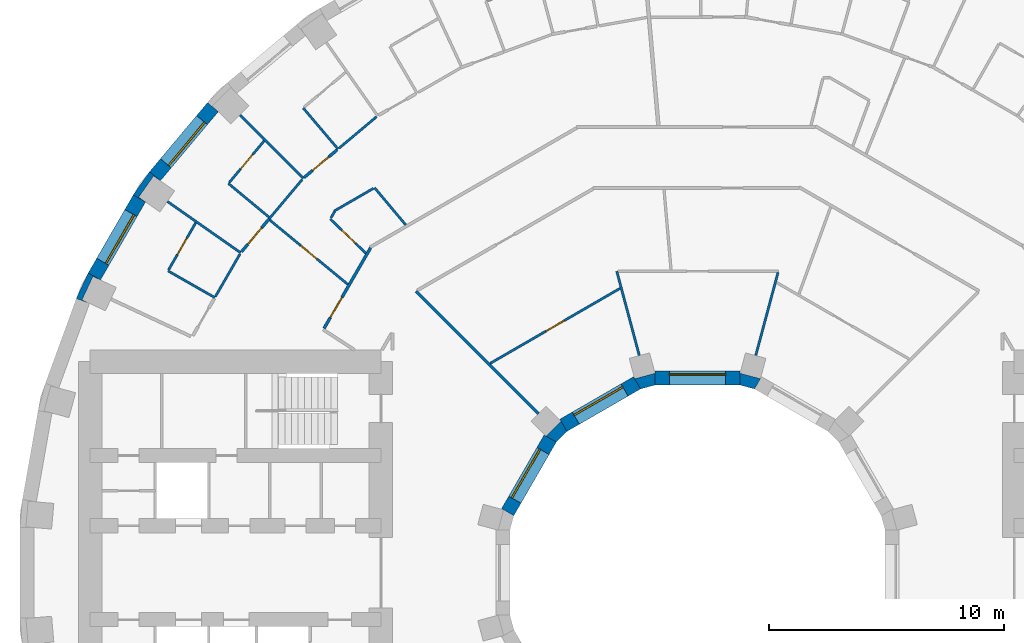
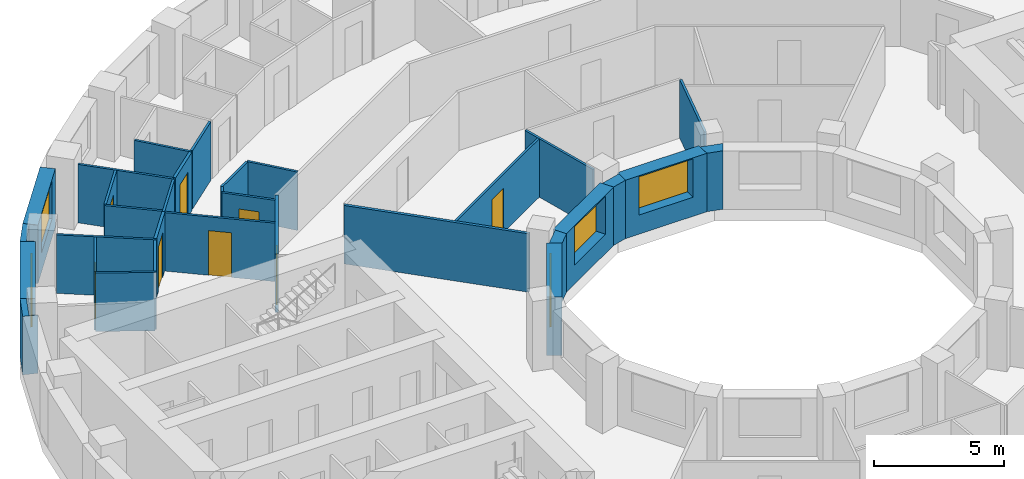
# One storey, part 10 of 15: 32 walls, 8 doors, 5 windows, 13 openings.
"""IFC4 building model written with IfcOpenShell, lengths in metres."""

from ifc_helpers import new_model, si_unit, direction, frame, frame_2d, origin, place, context, subcontext, project, spatial, polyline, rectangle, outline, extrude, material, layer, layer_set, type_object, element, fill, save


model = new_model("IFC4")

# Units and contexts
model_context = context("Model", 3, precision=1e-05, world=origin(), true_north=direction((0.0, 1.0)))
body_context = subcontext(model_context, "Body", "Model", "MODEL_VIEW")
ifc_project = project(units=[si_unit("LENGTHUNIT", "METRE"), si_unit("AREAUNIT", "SQUARE_METRE"), si_unit("VOLUMEUNIT", "CUBIC_METRE"), si_unit("PLANEANGLEUNIT", "RADIAN"), si_unit("MASSUNIT", "GRAM", prefix="KILO")], contexts=[model_context])

# Site, building, storey
site_placement = place(None, origin())
site = spatial("IfcSite", under=ifc_project, at=site_placement, CompositionType="ELEMENT")
building_placement = place(site_placement, origin())
building = spatial("IfcBuilding", under=site, at=building_placement, Name="Saqina Gate Tower", CompositionType="ELEMENT")
storey_placement = place(building_placement, frame((0.0, 0.0, 56.0)))
storey = spatial("IfcBuildingStorey", under=building, at=storey_placement, Name="L15", CompositionType="ELEMENT", Elevation=56.0)

# Walls
ifc_material_1 = material(Name="Brick masonry (red)", Category="masonry")
wall_type_1 = type_object("IfcWallType", Name="BRICK PIER COPING RED", PredefinedType="SOLIDWALL", material=ifc_material_1)
wall_1_placement = place(storey_placement, origin())
element("IfcWall", 1, at=wall_1_placement, inside=storey, type_object=wall_type_1, Name="Pier cap L15 column 15", PredefinedType="SOLIDWALL", context=body_context, shape_type="SweptSolid", body=[
    extrude(outline(polyline([(-23.36669921875, 17.096923828125), (-24.0576171875, 16.110107421875), (-23.5380859375, 15.81005859375), (-23.8251953125, 16.010986328125), (-23.194091796875, 16.912109375), (-22.9072265625, 16.711181640625), (-23.36669921875, 17.096923828125)])), origin(), (0.0, 0.0, 1.0), 2.75),
])
wall_2_placement = place(storey_placement, origin())
element("IfcWall", 2, at=wall_2_placement, inside=storey, type_object=wall_type_1, Name="Pier cap L15 column 16", PredefinedType="SOLIDWALL", context=body_context, shape_type="SweptSolid", body=[
    extrude(outline(polyline([(-26.48974609375, 11.687744140625), (-25.92578125, 11.482666015625), (-26.243408203125, 11.630615234375), (-25.778564453125, 12.627685546875), (-25.4609375, 12.4794921875), (-25.980712890625, 12.779541015625), (-26.48974609375, 11.687744140625)])), origin(), (0.0, 0.0, 1.0), 2.75),
])

# Wall, opening, window
ifc_material_2 = material(Name="Brick masonry (red)", Category="masonry")
ifc_layer_1 = layer(ifc_material_2, 0.60009765625)
ifc_layer_set_1 = layer_set([ifc_layer_1], Name="FW-BRICK-RED")
wall_type_2 = type_object("IfcWallType", Name="FW-BRICK-RED", PredefinedType="SOLIDWALL", material=ifc_layer_set_1)
wall_3_placement = place(storey_placement, frame((-20.664794921875, 19.85009765625, 0.0), z_axis=(0.0, 0.0, 1.0), x_axis=(-0.642809392687, -0.766026164483, 0.0)))
wall_3 = element("IfcWall", 3, at=wall_3_placement, inside=storey, type_object=wall_type_2, Name="Facade wall L15 facet 14", PredefinedType="SOLIDWALL", context=body_context, shape_type="SweptSolid", body=[
    extrude(rectangle(XDim=3.845947265625, YDim=0.60009765625, at=frame_2d((1.9228515625, 0.0))), origin(), (0.0, 0.0, 1.0), 2.75),
])
opening_1_placement = place(wall_3_placement, frame((0.722900390625, 0.0, 0.89990234375)))
opening_1 = element("IfcOpeningElement", 4, at=opening_1_placement, cuts=wall_3, Name="Opening G04-W09", PredefinedType="OPENING", context=body_context, shape_type="SweptSolid", body=[
    extrude(rectangle(XDim=2.39990234375, YDim=1.800048828125, at=frame_2d((1.199951171875, 0.89990234375))), frame((0.0, 0.31201171875, 0.0), z_axis=(0.0, -1.0, 0.0), x_axis=(1.0, 0.0, 0.0)), (0.0, 0.0, 1.0), 0.6240234375),
])
ifc_material_3 = material(Name="Aluminium glazing", Category="aluminium")
window_type_1 = type_object("IfcWindowType", Name="WN-A", PartitioningType="SINGLE_PANEL", PredefinedType="WINDOW", material=ifc_material_3)
window_1_placement = place(opening_1_placement, origin())
window_1 = element("IfcWindow", 5, at=window_1_placement, inside=storey, type_object=window_type_1, Name="Window L15 facet 14", OverallHeight=1.800048828125, OverallWidth=2.39990234375, PartitioningType="SINGLE_PANEL", PredefinedType="WINDOW", context=body_context, shape_type="SweptSolid", body=[
    extrude(rectangle(XDim=2.39990234375, YDim=1.800048828125, at=frame_2d((1.199951171875, 0.89990234375))), frame((0.0, 0.179931640625, 0.0), z_axis=(0.0, -1.0, 0.0), x_axis=(1.0, 0.0, 0.0)), (0.0, 0.0, 1.0), 0.06005859375),
])
fill(opening_1, window_1)

wall_4_placement = place(storey_placement, frame((-23.7978515625, 15.960205078125, 0.0), z_axis=(0.0, 0.0, 1.0), x_axis=(-0.499989888488, -0.86603124159, 0.0)))
wall_4 = element("IfcWall", 6, at=wall_4_placement, inside=storey, type_object=wall_type_2, Name="Facade wall L15 facet 15", PredefinedType="SOLIDWALL", context=body_context, shape_type="SweptSolid", body=[
    extrude(rectangle(XDim=3.845703125, YDim=0.60009765625, at=frame_2d((1.9228515625, 0.0))), origin(), (0.0, 0.0, 1.0), 2.75),
])
opening_2_placement = place(wall_4_placement, frame((0.722900390625, 0.0, 0.89990234375)))
opening_2 = element("IfcOpeningElement", 7, at=opening_2_placement, cuts=wall_4, Name="Opening G04-W10", PredefinedType="OPENING", context=body_context, shape_type="SweptSolid", body=[
    extrude(rectangle(XDim=2.39990234375, YDim=1.800048828125, at=frame_2d((1.199951171875, 0.89990234375))), frame((0.0, 0.31201171875, 0.0), z_axis=(0.0, -1.0, 0.0), x_axis=(1.0, 0.0, 0.0)), (0.0, 0.0, 1.0), 0.6240234375),
])
window_2_placement = place(opening_2_placement, origin())
window_2 = element("IfcWindow", 8, at=window_2_placement, inside=storey, type_object=window_type_1, Name="Window L15 facet 15", OverallHeight=1.800048828125, OverallWidth=2.39990234375, PartitioningType="SINGLE_PANEL", PredefinedType="WINDOW", context=body_context, shape_type="SweptSolid", body=[
    extrude(rectangle(XDim=2.39990234375, YDim=1.800048828125, at=frame_2d((1.199951171875, 0.89990234375))), frame((0.0, 0.179931640625, 0.0), z_axis=(0.0, -1.0, 0.0), x_axis=(1.0, 0.0, 0.0)), (0.0, 0.0, 1.0), 0.06005859375),
])
fill(opening_2, window_2)

ifc_material_4 = material(Name="Glazed ceramic tile", Category="ceramic")
ifc_layer_2 = layer(ifc_material_4, 0.60009765625)
ifc_layer_set_2 = layer_set([ifc_layer_2], Name="IW-TILE")
wall_type_3 = type_object("IfcWallType", Name="IW-TILE", PredefinedType="SOLIDWALL", material=ifc_layer_set_2)
wall_5_placement = place(storey_placement, frame((1.8125, 8.300048828125, 0.0), z_axis=(0.0, 0.0, 1.0), x_axis=(-1.0, 0.0, 0.0)))
wall_5 = element("IfcWall", 9, at=wall_5_placement, inside=storey, type_object=wall_type_3, Name="Well wall L15 facet 3", PredefinedType="SOLIDWALL", context=body_context, shape_type="SweptSolid", body=[
    extrude(rectangle(XDim=3.625, YDim=0.60009765625, at=frame_2d((1.8125, 0.0))), origin(), (0.0, 0.0, 1.0), 2.75),
])
opening_3_placement = place(wall_5_placement, frame((0.612548828125, 0.0, 0.89990234375)))
opening_3 = element("IfcOpeningElement", 10, at=opening_3_placement, cuts=wall_5, Name="Opening G04-W26", PredefinedType="OPENING", context=body_context, shape_type="SweptSolid", body=[
    extrude(rectangle(XDim=2.39990234375, YDim=1.800048828125, at=frame_2d((1.199951171875, 0.89990234375))), frame((0.0, 0.31201171875, 0.0), z_axis=(0.0, -1.0, 0.0), x_axis=(1.0, 0.0, 0.0)), (0.0, 0.0, 1.0), 0.6240234375),
])
ifc_material_5 = material(Name="Aluminium glazing", Category="aluminium")
window_type_2 = type_object("IfcWindowType", Name="WN-W", PartitioningType="SINGLE_PANEL", PredefinedType="WINDOW", material=ifc_material_5)
window_3_placement = place(opening_3_placement, origin())
window_3 = element("IfcWindow", 11, at=window_3_placement, inside=storey, type_object=window_type_2, Name="Well window L15 facet 3", OverallHeight=1.800048828125, OverallWidth=2.39990234375, PartitioningType="SINGLE_PANEL", PredefinedType="WINDOW", context=body_context, shape_type="SweptSolid", body=[
    extrude(rectangle(XDim=2.39990234375, YDim=1.800048828125, at=frame_2d((1.199951171875, 0.89990234375))), frame((0.0, -0.119873046875, 0.0), z_axis=(0.0, -1.0, 0.0), x_axis=(1.0, 0.0, 0.0)), (0.0, 0.0, 1.0), 0.06005859375),
])
fill(opening_3, window_3)

wall_6_placement = place(storey_placement, frame((-2.580322265625, 8.09423828125, 0.0), z_axis=(0.0, 0.0, 1.0), x_axis=(-0.866029693906, -0.499992569217, 0.0)))
wall_6 = element("IfcWall", 12, at=wall_6_placement, inside=storey, type_object=wall_type_3, Name="Well wall L15 facet 4", PredefinedType="SOLIDWALL", context=body_context, shape_type="SweptSolid", body=[
    extrude(rectangle(XDim=3.625, YDim=0.60009765625, at=frame_2d((1.8125, 0.0))), origin(), (0.0, 0.0, 1.0), 2.75),
])
opening_4_placement = place(wall_6_placement, frame((0.612548828125, 0.0, 0.89990234375)))
opening_4 = element("IfcOpeningElement", 13, at=opening_4_placement, cuts=wall_6, Name="Opening G04-W27", PredefinedType="OPENING", context=body_context, shape_type="SweptSolid", body=[
    extrude(rectangle(XDim=2.39990234375, YDim=1.800048828125, at=frame_2d((1.199951171875, 0.89990234375))), frame((0.0, 0.31201171875, 0.0), z_axis=(0.0, -1.0, 0.0), x_axis=(1.0, 0.0, 0.0)), (0.0, 0.0, 1.0), 0.6240234375),
])
window_4_placement = place(opening_4_placement, origin())
window_4 = element("IfcWindow", 14, at=window_4_placement, inside=storey, type_object=window_type_2, Name="Well window L15 facet 4", OverallHeight=1.800048828125, OverallWidth=2.39990234375, PartitioningType="SINGLE_PANEL", PredefinedType="WINDOW", context=body_context, shape_type="SweptSolid", body=[
    extrude(rectangle(XDim=2.39990234375, YDim=1.800048828125, at=frame_2d((1.199951171875, 0.89990234375))), frame((0.0, -0.119873046875, 0.0), z_axis=(0.0, -1.0, 0.0), x_axis=(1.0, 0.0, 0.0)), (0.0, 0.0, 1.0), 0.06005859375),
])
fill(opening_4, window_4)

wall_7_placement = place(storey_placement, frame((-6.28173828125, 5.7197265625, 0.0), z_axis=(0.0, 0.0, 1.0), x_axis=(-0.499992569217, -0.866029693906, 0.0)))
wall_7 = element("IfcWall", 15, at=wall_7_placement, inside=storey, type_object=wall_type_3, Name="Well wall L15 facet 5", PredefinedType="SOLIDWALL", context=body_context, shape_type="SweptSolid", body=[
    extrude(rectangle(XDim=3.625, YDim=0.60009765625, at=frame_2d((1.8125, 0.0))), origin(), (0.0, 0.0, 1.0), 2.75),
])
opening_5_placement = place(wall_7_placement, frame((0.612548828125, 0.0, 0.89990234375)))
opening_5 = element("IfcOpeningElement", 16, at=opening_5_placement, cuts=wall_7, Name="Opening G04-W28", PredefinedType="OPENING", context=body_context, shape_type="SweptSolid", body=[
    extrude(rectangle(XDim=2.39990234375, YDim=1.800048828125, at=frame_2d((1.199951171875, 0.89990234375))), frame((0.0, 0.31201171875, 0.0), z_axis=(0.0, -1.0, 0.0), x_axis=(1.0, 0.0, 0.0)), (0.0, 0.0, 1.0), 0.6240234375),
])
window_5_placement = place(opening_5_placement, origin())
window_5 = element("IfcWindow", 17, at=window_5_placement, inside=storey, type_object=window_type_2, Name="Well window L15 facet 5", OverallHeight=1.800048828125, OverallWidth=2.39990234375, PartitioningType="SINGLE_PANEL", PredefinedType="WINDOW", context=body_context, shape_type="SweptSolid", body=[
    extrude(rectangle(XDim=2.39990234375, YDim=1.800048828125, at=frame_2d((1.199951171875, 0.89990234375))), frame((0.0, -0.119873046875, 0.0), z_axis=(0.0, -1.0, 0.0), x_axis=(1.0, 0.0, 0.0)), (0.0, 0.0, 1.0), 0.06005859375),
])
fill(opening_5, window_5)

# Walls
ifc_material_6 = material(Name="Gypsum board on steel studs, 100 mm", Category="steel")
ifc_layer_3 = layer(ifc_material_6, 0.10009765625)
ifc_layer_set_3 = layer_set([ifc_layer_3], Name="PARTITION 100")
wall_type_4 = type_object("IfcWallType", Name="PARTITION 100", PredefinedType="PARTITIONING", material=ifc_layer_set_3)
wall_8_placement = place(storey_placement, frame((-3.443115234375, 12.85009765625, 0.0), z_axis=(0.0, 0.0, 1.0), x_axis=(0.258137576588, -0.966108167626, 0.0)))
element("IfcWall", 18, at=wall_8_placement, inside=storey, type_object=wall_type_4, Name="PARTITION PW3-10", PredefinedType="PARTITIONING", context=body_context, shape_type="SweptSolid", body=[
    extrude(rectangle(XDim=3.711181640625, YDim=0.10009765625, at=frame_2d((1.85546875, 0.0))), origin(), (0.0, 0.0, 1.0), 2.75),
])
wall_9_placement = place(storey_placement, frame((-13.77197265625, 16.4130859375, 0.0), z_axis=(0.0, 0.0, 1.0), x_axis=(0.642721705291, -0.766099738643, 0.0)))
element("IfcWall", 19, at=wall_9_placement, inside=storey, type_object=wall_type_4, Name="PARTITION PW3-22", PredefinedType="PARTITIONING", context=body_context, shape_type="SweptSolid", body=[
    extrude(rectangle(XDim=2.06982421875, YDim=0.10009765625, at=frame_2d((1.034912109375, 0.0))), origin(), (0.0, 0.0, 1.0), 2.75),
])
wall_10_placement = place(storey_placement, frame((-16.81689453125, 19.81591796875, 0.0), z_axis=(0.0, 0.0, 1.0), x_axis=(0.646883930741, -0.762588473653, 0.0)))
element("IfcWall", 20, at=wall_10_placement, inside=storey, type_object=wall_type_4, Name="PARTITION PW3-23", PredefinedType="PARTITIONING", context=body_context, shape_type="SweptSolid", body=[
    extrude(rectangle(XDim=2.300048828125, YDim=0.10009765625, at=frame_2d((1.14990234375, 0.0))), origin(), (0.0, 0.0, 1.0), 2.75),
])
wall_11_placement = place(storey_placement, frame((-19.509033203125, 19.509033203125, 0.0), z_axis=(0.0, 0.0, 1.0), x_axis=(0.707106781187, -0.707106781187, 0.0)))
element("IfcWall", 21, at=wall_11_placement, inside=storey, type_object=wall_type_4, Name="PARTITION PW3-25", PredefinedType="PARTITIONING", context=body_context, shape_type="SweptSolid", body=[
    extrude(rectangle(XDim=3.81005859375, YDim=0.10009765625, at=frame_2d((1.905029296875, 0.0))), origin(), (0.0, 0.0, 1.0), 2.75),
])

# Wall, opening, door
wall_12_placement = place(storey_placement, frame((-15.657958984375, 15.077880859375, 0.0), z_axis=(0.0, 0.0, 1.0), x_axis=(0.720406258369, -0.693552321676, 0.0)))
wall_12 = element("IfcWall", 22, at=wall_12_placement, inside=storey, type_object=wall_type_4, Name="PARTITION PW3-27", PredefinedType="PARTITIONING", context=body_context, shape_type="SweptSolid", body=[
    extrude(rectangle(XDim=2.10009765625, YDim=0.10009765625, at=frame_2d((1.050048828125, 0.0))), origin(), (0.0, 0.0, 1.0), 2.75),
])
opening_6_placement = place(wall_12_placement, frame((0.681396484375, 0.0, 0.0)))
opening_6 = element("IfcOpeningElement", 23, at=opening_6_placement, cuts=wall_12, Name="Opening G04-D30", PredefinedType="OPENING", context=body_context, shape_type="SweptSolid", body=[
    extrude(rectangle(XDim=0.800048828125, YDim=2.10009765625, at=frame_2d((0.39990234375, 1.050048828125))), frame((0.0, 0.06201171875, 0.0), z_axis=(0.0, -1.0, 0.0), x_axis=(1.0, 0.0, 0.0)), (0.0, 0.0, 1.0), 0.1240234375),
])
ifc_material_7 = material(Name="Timber door leaf, 800 mm", Category="wood")
door_type_1 = type_object("IfcDoorType", Name="DOOR 800 TIMBER", OperationType="SINGLE_SWING_LEFT", PredefinedType="DOOR", material=ifc_material_7)
door_1_placement = place(opening_6_placement, frame((0.800048828125, 0.0, 0.0), z_axis=(0.0, 0.0, 1.0), x_axis=(-1.0, 0.0, 0.0)))
door_1 = element("IfcDoor", 24, at=door_1_placement, inside=storey, type_object=door_type_1, Name="DOOR G04-D30", OperationType="SINGLE_SWING_LEFT", OverallHeight=2.10009765625, OverallWidth=0.800048828125, PredefinedType="DOOR", context=body_context, shape_type="SweptSolid", body=[
    extrude(rectangle(XDim=0.800048828125, YDim=2.10009765625, at=frame_2d((0.39990234375, 1.050048828125))), frame((0.0, 0.02490234375, 0.0), z_axis=(0.0, -1.0, 0.0), x_axis=(1.0, 0.0, 0.0)), (0.0, 0.0, 1.0), 0.050048828125),
])
fill(opening_6, door_1)

# Wall
wall_13_placement = place(storey_placement, frame((-20.0029296875, 16.593994140625, 0.0), z_axis=(0.0, 0.0, 1.0), x_axis=(0.769713734446, -0.638389197125, 0.0)))
element("IfcWall", 25, at=wall_13_placement, inside=storey, type_object=wall_type_4, Name="PARTITION PW3-32", PredefinedType="PARTITIONING", context=body_context, shape_type="SweptSolid", body=[
    extrude(rectangle(XDim=2.24951171875, YDim=0.10009765625, at=frame_2d((1.124755859375, 0.0))), origin(), (0.0, 0.0, 1.0), 2.75),
])

# Wall, opening, door
wall_14_placement = place(storey_placement, frame((-18.231689453125, 15.029296875, 0.0), z_axis=(0.0, 0.0, 1.0), x_axis=(0.771607312324, -0.636099171174, 0.0)))
wall_14 = element("IfcWall", 26, at=wall_14_placement, inside=storey, type_object=wall_type_4, Name="PARTITION PW3-34", PredefinedType="PARTITIONING", context=body_context, shape_type="SweptSolid", body=[
    extrude(rectangle(XDim=4.300537109375, YDim=0.10009765625, at=frame_2d((2.150390625, 0.0))), origin(), (0.0, 0.0, 1.0), 2.75),
])
opening_7_placement = place(wall_14_placement, frame((1.7001953125, 0.0, 0.0)))
opening_7 = element("IfcOpeningElement", 27, at=opening_7_placement, cuts=wall_14, Name="Opening G04-D32", PredefinedType="OPENING", context=body_context, shape_type="SweptSolid", body=[
    extrude(rectangle(XDim=0.89990234375, YDim=2.10009765625, at=frame_2d((0.449951171875, 1.050048828125))), frame((0.0, 0.06201171875, 0.0), z_axis=(0.0, -1.0, 0.0), x_axis=(1.0, 0.0, 0.0)), (0.0, 0.0, 1.0), 0.1240234375),
])
ifc_material_8 = material(Name="Timber door leaf, 900 mm", Category="wood")
door_type_2 = type_object("IfcDoorType", Name="DOOR 900 TIMBER", OperationType="SINGLE_SWING_LEFT", PredefinedType="DOOR", material=ifc_material_8)
door_2_placement = place(opening_7_placement, origin())
door_2 = element("IfcDoor", 28, at=door_2_placement, inside=storey, type_object=door_type_2, Name="DOOR G04-D32", OperationType="SINGLE_SWING_LEFT", OverallHeight=2.10009765625, OverallWidth=0.89990234375, PredefinedType="DOOR", context=body_context, shape_type="SweptSolid", body=[
    extrude(rectangle(XDim=0.89990234375, YDim=2.10009765625, at=frame_2d((0.449951171875, 1.050048828125))), frame((0.0, 0.02490234375, 0.0), z_axis=(0.0, -1.0, 0.0), x_axis=(1.0, 0.0, 0.0)), (0.0, 0.0, 1.0), 0.050048828125),
])
fill(opening_7, door_2)

# Walls
wall_15_placement = place(storey_placement, frame((-22.6005859375, 15.824951171875, 0.0), z_axis=(0.0, 0.0, 1.0), x_axis=(0.819153632733, -0.573574167811, 0.0)))
element("IfcWall", 29, at=wall_15_placement, inside=storey, type_object=wall_type_4, Name="PARTITION PW3-36", PredefinedType="PARTITIONING", context=body_context, shape_type="SweptSolid", body=[
    extrude(rectangle(XDim=3.8095703125, YDim=0.10009765625, at=frame_2d((1.90478515625, 0.0))), origin(), (0.0, 0.0, 1.0), 2.75),
])
wall_16_placement = place(storey_placement, frame((-22.580078125, 12.868896484375, 0.0), z_axis=(0.0, 0.0, 1.0), x_axis=(0.868771789729, -0.495212658735, 0.0)))
element("IfcWall", 30, at=wall_16_placement, inside=storey, type_object=wall_type_4, Name="PARTITION PW3-45", PredefinedType="PARTITIONING", context=body_context, shape_type="SweptSolid", body=[
    extrude(rectangle(XDim=2.2998046875, YDim=0.10009765625, at=frame_2d((1.14990234375, 0.0))), origin(), (0.0, 0.0, 1.0), 2.75),
])

# Wall, opening, door
wall_17_placement = place(storey_placement, frame((-8.83984375, 8.92529296875, 0.0), z_axis=(0.0, 0.0, 1.0), x_axis=(0.865965699973, 0.50010339578, 0.0)))
wall_17 = element("IfcWall", 31, at=wall_17_placement, inside=storey, type_object=wall_type_4, Name="PARTITION PW3-75", PredefinedType="PARTITIONING", context=body_context, shape_type="SweptSolid", body=[
    extrude(rectangle(XDim=6.398193359375, YDim=0.10009765625, at=frame_2d((3.19921875, 0.0))), origin(), (0.0, 0.0, 1.0), 2.75),
])
opening_8_placement = place(wall_17_placement, frame((2.742919921875, 0.0, 0.0)))
opening_8 = element("IfcOpeningElement", 32, at=opening_8_placement, cuts=wall_17, Name="Opening G04-D25", PredefinedType="OPENING", context=body_context, shape_type="SweptSolid", body=[
    extrude(rectangle(XDim=0.89990234375, YDim=2.10009765625, at=frame_2d((0.449951171875, 1.050048828125))), frame((0.0, 0.06201171875, 0.0), z_axis=(0.0, -1.0, 0.0), x_axis=(1.0, 0.0, 0.0)), (0.0, 0.0, 1.0), 0.1240234375),
])
door_3_placement = place(opening_8_placement, origin())
door_3 = element("IfcDoor", 33, at=door_3_placement, inside=storey, type_object=door_type_2, Name="DOOR G04-D25", OperationType="SINGLE_SWING_LEFT", OverallHeight=2.10009765625, OverallWidth=0.89990234375, PredefinedType="DOOR", context=body_context, shape_type="SweptSolid", body=[
    extrude(rectangle(XDim=0.89990234375, YDim=2.10009765625, at=frame_2d((0.449951171875, 1.050048828125))), frame((0.0, 0.02490234375, 0.0), z_axis=(0.0, -1.0, 0.0), x_axis=(1.0, 0.0, 0.0)), (0.0, 0.0, 1.0), 0.050048828125),
])
fill(opening_8, door_3)

# Walls
wall_18_placement = place(storey_placement, frame((-15.49609375, 15.4169921875, 0.0), z_axis=(0.0, 0.0, 1.0), x_axis=(0.865919547832, 0.500183303083, 0.0)))
element("IfcWall", 34, at=wall_18_placement, inside=storey, type_object=wall_type_4, Name="PARTITION PW3-76", PredefinedType="PARTITIONING", context=body_context, shape_type="SweptSolid", body=[
    extrude(rectangle(XDim=1.941162109375, YDim=0.10009765625, at=frame_2d((0.970703125, 0.0))), origin(), (0.0, 0.0, 1.0), 2.75),
])
wall_19_placement = place(storey_placement, frame((-15.290771484375, 18.09423828125, 0.0), z_axis=(0.0, 0.0, 1.0), x_axis=(0.765911671875, 0.642945807114, 0.0)))
element("IfcWall", 35, at=wall_19_placement, inside=storey, type_object=wall_type_4, Name="PARTITION PW3-81", PredefinedType="PARTITIONING", context=body_context, shape_type="SweptSolid", body=[
    extrude(rectangle(XDim=2.092529296875, YDim=0.10009765625, at=frame_2d((1.04638671875, 0.0))), origin(), (0.0, 0.0, 1.0), 2.75),
])
wall_20_placement = place(storey_placement, frame((-18.264892578125, 15.08740234375, 0.0), z_axis=(0.0, 0.0, 1.0), x_axis=(0.643038029584, 0.765834246106, 0.0)))
element("IfcWall", 36, at=wall_20_placement, inside=storey, type_object=wall_type_4, Name="PARTITION PW3-87", PredefinedType="PARTITIONING", context=body_context, shape_type="SweptSolid", body=[
    extrude(rectangle(XDim=2.19287109375, YDim=0.10009765625, at=frame_2d((1.096435546875, 0.0))), origin(), (0.0, 0.0, 1.0), 2.75),
])

# Wall, opening, door
wall_21_placement = place(storey_placement, frame((-19.970947265625, 16.63232421875, 0.0), z_axis=(0.0, 0.0, 1.0), x_axis=(0.642624220064, 0.766181513603, 0.0)))
wall_21 = element("IfcWall", 37, at=wall_21_placement, inside=storey, type_object=wall_type_4, Name="PARTITION PW3-88", PredefinedType="PARTITIONING", context=body_context, shape_type="SweptSolid", body=[
    extrude(rectangle(XDim=2.31982421875, YDim=0.10009765625, at=frame_2d((1.159912109375, 0.0))), origin(), (0.0, 0.0, 1.0), 2.75),
])
opening_9_placement = place(wall_21_placement, frame((0.760009765625, 0.0, 0.0)))
opening_9 = element("IfcOpeningElement", 38, at=opening_9_placement, cuts=wall_21, Name="Opening G04-D31", PredefinedType="OPENING", context=body_context, shape_type="SweptSolid", body=[
    extrude(rectangle(XDim=0.800048828125, YDim=2.10009765625, at=frame_2d((0.39990234375, 1.050048828125))), frame((0.0, 0.06201171875, 0.0), z_axis=(0.0, -1.0, 0.0), x_axis=(1.0, 0.0, 0.0)), (0.0, 0.0, 1.0), 0.1240234375),
])
door_4_placement = place(opening_9_placement, origin())
door_4 = element("IfcDoor", 39, at=door_4_placement, inside=storey, type_object=door_type_1, Name="DOOR G04-D31", OperationType="SINGLE_SWING_RIGHT", OverallHeight=2.10009765625, OverallWidth=0.800048828125, PredefinedType="DOOR", context=body_context, shape_type="SweptSolid", body=[
    extrude(rectangle(XDim=0.800048828125, YDim=2.10009765625, at=frame_2d((0.39990234375, 1.050048828125))), frame((0.0, 0.02490234375, 0.0), z_axis=(0.0, -1.0, 0.0), x_axis=(1.0, 0.0, 0.0)), (0.0, 0.0, 1.0), 0.050048828125),
])
fill(opening_9, door_4)

# Wall
wall_22_placement = place(storey_placement, frame((-20.55712890625, 11.773193359375, 0.0), z_axis=(0.0, 0.0, 1.0), x_axis=(0.499752749986, 0.866168106594, 0.0)))
element("IfcWall", 40, at=wall_22_placement, inside=storey, type_object=wall_type_4, Name="PARTITION PW3-94", PredefinedType="PARTITIONING", context=body_context, shape_type="SweptSolid", body=[
    extrude(rectangle(XDim=2.0927734375, YDim=0.10009765625, at=frame_2d((1.04638671875, 0.0))), origin(), (0.0, 0.0, 1.0), 2.75),
])

# Wall, opening, door
wall_23_placement = place(storey_placement, frame((-22.554931640625, 12.912353515625, 0.0), z_axis=(0.0, 0.0, 1.0), x_axis=(0.499819678633, 0.866129487347, 0.0)))
wall_23 = element("IfcWall", 41, at=wall_23_placement, inside=storey, type_object=wall_type_4, Name="PARTITION PW3-95", PredefinedType="PARTITIONING", context=body_context, shape_type="SweptSolid", body=[
    extrude(rectangle(XDim=2.318603515625, YDim=0.10009765625, at=frame_2d((1.1591796875, 0.0))), origin(), (0.0, 0.0, 1.0), 2.75),
])
opening_10_placement = place(wall_23_placement, frame((0.759521484375, 0.0, 0.0)))
opening_10 = element("IfcOpeningElement", 42, at=opening_10_placement, cuts=wall_23, Name="Opening G04-D35", PredefinedType="OPENING", context=body_context, shape_type="SweptSolid", body=[
    extrude(rectangle(XDim=0.800048828125, YDim=2.10009765625, at=frame_2d((0.39990234375, 1.050048828125))), frame((0.0, 0.06201171875, 0.0), z_axis=(0.0, -1.0, 0.0), x_axis=(1.0, 0.0, 0.0)), (0.0, 0.0, 1.0), 0.1240234375),
])
door_5_placement = place(opening_10_placement, origin())
door_5 = element("IfcDoor", 43, at=door_5_placement, inside=storey, type_object=door_type_1, Name="DOOR G04-D35", OperationType="SINGLE_SWING_LEFT", OverallHeight=2.10009765625, OverallWidth=0.800048828125, PredefinedType="DOOR", context=body_context, shape_type="SweptSolid", body=[
    extrude(rectangle(XDim=0.800048828125, YDim=2.10009765625, at=frame_2d((0.39990234375, 1.050048828125))), frame((0.0, 0.02490234375, 0.0), z_axis=(0.0, -1.0, 0.0), x_axis=(1.0, 0.0, 0.0)), (0.0, 0.0, 1.0), 0.050048828125),
])
fill(opening_10, door_5)

# Walls
wall_24_placement = place(storey_placement, frame((-15.633056640625, 15.121337890625, 0.0), z_axis=(0.0, 0.0, 1.0), x_axis=(0.499375175205, 0.866385846139, 0.0)))
element("IfcWall", 44, at=wall_24_placement, inside=storey, type_object=wall_type_4, Name="PARTITION PW3-96", PredefinedType="PARTITIONING", context=body_context, shape_type="SweptSolid", body=[
    extrude(rectangle(XDim=0.32470703125, YDim=0.10009765625, at=frame_2d((0.162353515625, 0.0))), origin(), (0.0, 0.0, 1.0), 2.75),
])
wall_25_placement = place(storey_placement, frame((2.48291015625, 9.265380859375, 0.0), z_axis=(0.0, 0.0, 1.0), x_axis=(0.258882752153, 0.965908753784, 0.0)))
element("IfcWall", 45, at=wall_25_placement, inside=storey, type_object=wall_type_4, Name="PARTITION PW3-107", PredefinedType="PARTITIONING", context=body_context, shape_type="SweptSolid", body=[
    extrude(rectangle(XDim=3.660888671875, YDim=0.10009765625, at=frame_2d((1.83056640625, 0.0))), origin(), (0.0, 0.0, 1.0), 2.75),
])
ifc_material_9 = material(Name="Gypsum board on steel studs, 125 mm, fire rated", Category="steel")
ifc_layer_4 = layer(ifc_material_9, 0.125)
ifc_layer_set_4 = layer_set([ifc_layer_4], Name="PARTITION EI 30 125")
wall_type_5 = type_object("IfcWallType", Name="PARTITION EI 30 125", PredefinedType="PARTITIONING", material=ifc_layer_set_4)
wall_26_placement = place(storey_placement, frame((-12.006103515625, 12.006103515625, 0.0), z_axis=(0.0, 0.0, 1.0), x_axis=(0.707106781187, -0.707106781187, 0.0)))
element("IfcWall", 46, at=wall_26_placement, inside=storey, type_object=wall_type_5, Name="PARTITION PW1-05", PredefinedType="PARTITIONING", context=body_context, shape_type="SweptSolid", body=[
    extrude(rectangle(XDim=7.386962890625, YDim=0.125, at=frame_2d((3.693359375, 0.0))), origin(), (0.0, 0.0, 1.0), 2.75),
])

# Wall, opening, door
wall_27_placement = place(storey_placement, frame((-16.776611328125, 16.84716796875, 0.0), z_axis=(0.0, 0.0, 1.0), x_axis=(0.766052425686, 0.642778096314, 0.0)))
wall_27 = element("IfcWall", 47, at=wall_27_placement, inside=storey, type_object=wall_type_5, Name="PARTITION PW1-40", PredefinedType="PARTITIONING", context=body_context, shape_type="SweptSolid", body=[
    extrude(rectangle(XDim=1.83984375, YDim=0.125, at=frame_2d((0.919921875, 0.0))), origin(), (0.0, 0.0, 1.0), 2.75),
])
opening_11_placement = place(wall_27_placement, frame((0.469970703125, 0.0, 0.0)))
opening_11 = element("IfcOpeningElement", 48, at=opening_11_placement, cuts=wall_27, Name="Opening G04-D29", PredefinedType="OPENING", context=body_context, shape_type="SweptSolid", body=[
    extrude(rectangle(XDim=0.89990234375, YDim=2.10009765625, at=frame_2d((0.449951171875, 1.050048828125))), frame((0.0, 0.074462890625, 0.0), z_axis=(0.0, -1.0, 0.0), x_axis=(1.0, 0.0, 0.0)), (0.0, 0.0, 1.0), 0.14892578125),
])
ifc_material_10 = material(Name="Fire door leaf EI 30, 900 mm")
door_type_3 = type_object("IfcDoorType", Name="DOOR 900 EI 30", OperationType="SINGLE_SWING_LEFT", PredefinedType="DOOR", material=ifc_material_10)
door_6_placement = place(opening_11_placement, frame((0.89990234375, 0.0, 0.0), z_axis=(0.0, 0.0, 1.0), x_axis=(-1.0, 0.0, 0.0)))
door_6 = element("IfcDoor", 49, at=door_6_placement, inside=storey, type_object=door_type_3, Name="DOOR G04-D29", OperationType="SINGLE_SWING_RIGHT", OverallHeight=2.10009765625, OverallWidth=0.89990234375, PredefinedType="DOOR", context=body_context, shape_type="SweptSolid", body=[
    extrude(rectangle(XDim=0.89990234375, YDim=2.10009765625, at=frame_2d((0.449951171875, 1.050048828125))), frame((0.0, 0.02490234375, 0.0), z_axis=(0.0, -1.0, 0.0), x_axis=(1.0, 0.0, 0.0)), (0.0, 0.0, 1.0), 0.050048828125),
])
fill(opening_11, door_6)

wall_28_placement = place(storey_placement, frame((-19.44775390625, 13.67822265625, 0.0), z_axis=(0.0, 0.0, 1.0), x_axis=(0.642778096314, 0.766052425686, 0.0)))
wall_28 = element("IfcWall", 50, at=wall_28_placement, inside=storey, type_object=wall_type_5, Name="PARTITION PW1-45", PredefinedType="PARTITIONING", context=body_context, shape_type="SweptSolid", body=[
    extrude(rectangle(XDim=1.83984375, YDim=0.125, at=frame_2d((0.919921875, 0.0))), origin(), (0.0, 0.0, 1.0), 2.75),
])
opening_12_placement = place(wall_28_placement, frame((0.43310546875, 0.0, 0.0)))
opening_12 = element("IfcOpeningElement", 51, at=opening_12_placement, cuts=wall_28, Name="Opening G04-D33", PredefinedType="OPENING", context=body_context, shape_type="SweptSolid", body=[
    extrude(rectangle(XDim=0.89990234375, YDim=2.10009765625, at=frame_2d((0.449951171875, 1.050048828125))), frame((0.0, 0.074462890625, 0.0), z_axis=(0.0, -1.0, 0.0), x_axis=(1.0, 0.0, 0.0)), (0.0, 0.0, 1.0), 0.14892578125),
])
door_7_placement = place(opening_12_placement, frame((0.89990234375, 0.0, 0.0), z_axis=(0.0, 0.0, 1.0), x_axis=(-1.0, 0.0, 0.0)))
door_7 = element("IfcDoor", 52, at=door_7_placement, inside=storey, type_object=door_type_3, Name="DOOR G04-D33", OperationType="SINGLE_SWING_LEFT", OverallHeight=2.10009765625, OverallWidth=0.89990234375, PredefinedType="DOOR", context=body_context, shape_type="SweptSolid", body=[
    extrude(rectangle(XDim=0.89990234375, YDim=2.10009765625, at=frame_2d((0.449951171875, 1.050048828125))), frame((0.0, 0.02490234375, 0.0), z_axis=(0.0, -1.0, 0.0), x_axis=(1.0, 0.0, 0.0)), (0.0, 0.0, 1.0), 0.050048828125),
])
fill(opening_12, door_7)

wall_29_placement = place(storey_placement, frame((-15.92578125, 10.416015625, 0.0), z_axis=(0.0, 0.0, 1.0), x_axis=(0.500020477838, 0.866013580576, 0.0)))
wall_29 = element("IfcWall", 53, at=wall_29_placement, inside=storey, type_object=wall_type_5, Name="PARTITION PW1-50", PredefinedType="PARTITIONING", context=body_context, shape_type="SweptSolid", body=[
    extrude(rectangle(XDim=3.970947265625, YDim=0.125, at=frame_2d((1.9853515625, 0.0))), origin(), (0.0, 0.0, 1.0), 2.75),
])
opening_13_placement = place(wall_29_placement, frame((0.52978515625, 0.0, 0.0)))
opening_13 = element("IfcOpeningElement", 54, at=opening_13_placement, cuts=wall_29, Name="Opening G04-D34", PredefinedType="OPENING", context=body_context, shape_type="SweptSolid", body=[
    extrude(rectangle(XDim=1.0, YDim=2.10009765625, at=frame_2d((0.5, 1.050048828125))), frame((0.0, 0.074462890625, 0.0), z_axis=(0.0, -1.0, 0.0), x_axis=(1.0, 0.0, 0.0)), (0.0, 0.0, 1.0), 0.14892578125),
])
ifc_material_11 = material(Name="Fire door leaf EI 30, 1000 mm")
door_type_4 = type_object("IfcDoorType", Name="DOOR 1000 EI 30", OperationType="SINGLE_SWING_LEFT", PredefinedType="DOOR", material=ifc_material_11)
door_8_placement = place(opening_13_placement, origin())
door_8 = element("IfcDoor", 55, at=door_8_placement, inside=storey, type_object=door_type_4, Name="DOOR G04-D34", OperationType="SINGLE_SWING_RIGHT", OverallHeight=2.10009765625, OverallWidth=1.0, PredefinedType="DOOR", context=body_context, shape_type="SweptSolid", body=[
    extrude(rectangle(XDim=1.0, YDim=2.10009765625, at=frame_2d((0.5, 1.050048828125))), frame((0.0, 0.02490234375, 0.0), z_axis=(0.0, -1.0, 0.0), x_axis=(1.0, 0.0, 0.0)), (0.0, 0.0, 1.0), 0.050048828125),
])
fill(opening_13, door_8)

# Walls
ifc_material_12 = material(Name="Glazed ceramic tile", Category="ceramic")
wall_type_6 = type_object("IfcWallType", Name="TILE PIER COPING", PredefinedType="SOLIDWALL", material=ifc_material_12)
wall_30_placement = place(storey_placement, origin())
element("IfcWall", 56, at=wall_30_placement, inside=storey, type_object=wall_type_6, Name="Well pier cap L15 column 3", PredefinedType="SOLIDWALL", context=body_context, shape_type="SweptSolid", body=[
    extrude(outline(polyline([(1.8125, 8.502685546875), (1.8125, 8.0), (2.430419921875, 7.83447265625), (2.681884765625, 8.27001953125), (1.8125, 8.502685546875)])), origin(), (0.0, 0.0, 1.0), 2.75),
])
wall_31_placement = place(storey_placement, origin())
element("IfcWall", 57, at=wall_31_placement, inside=storey, type_object=wall_type_6, Name="Well pier cap L15 column 4", PredefinedType="SOLIDWALL", context=body_context, shape_type="SweptSolid", body=[
    extrude(outline(polyline([(-2.681884765625, 8.27001953125), (-2.430419921875, 7.83447265625), (-1.8125, 8.0), (-1.8125, 8.502685546875), (-2.681884765625, 8.27001953125)])), origin(), (0.0, 0.0, 1.0), 2.75),
])
wall_32_placement = place(storey_placement, origin())
element("IfcWall", 58, at=wall_32_placement, inside=storey, type_object=wall_type_6, Name="Well pier cap L15 column 5", PredefinedType="SOLIDWALL", context=body_context, shape_type="SweptSolid", body=[
    extrude(outline(polyline([(-6.45751953125, 5.821044921875), (-6.02197265625, 5.569580078125), (-5.569580078125, 6.02197265625), (-5.821044921875, 6.45751953125), (-6.45751953125, 5.821044921875)])), origin(), (0.0, 0.0, 1.0), 2.75),
])

save(model, "model.ifc")
